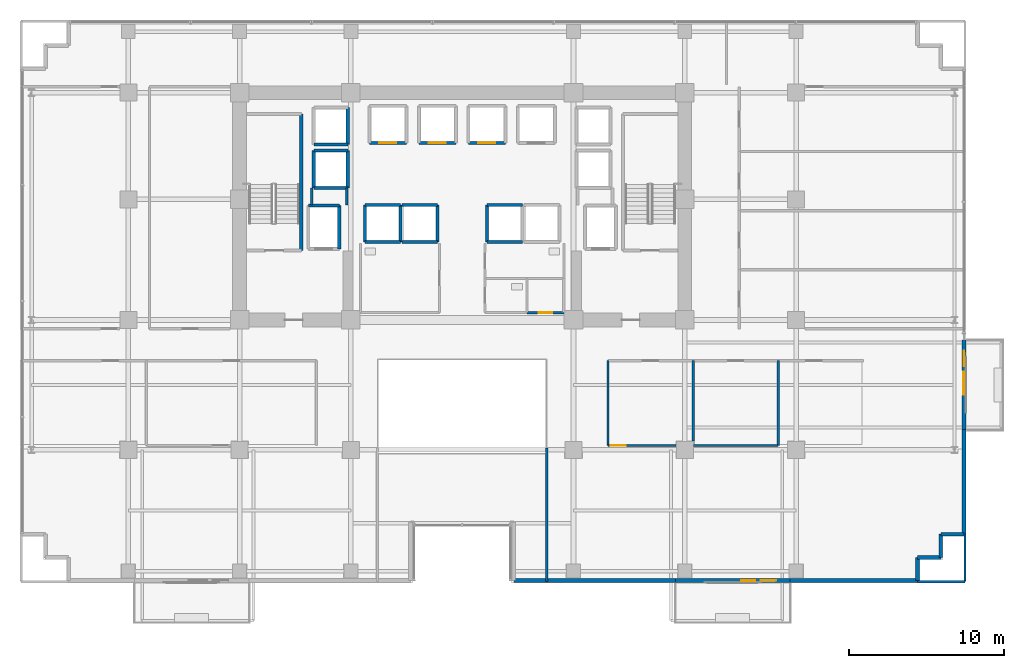
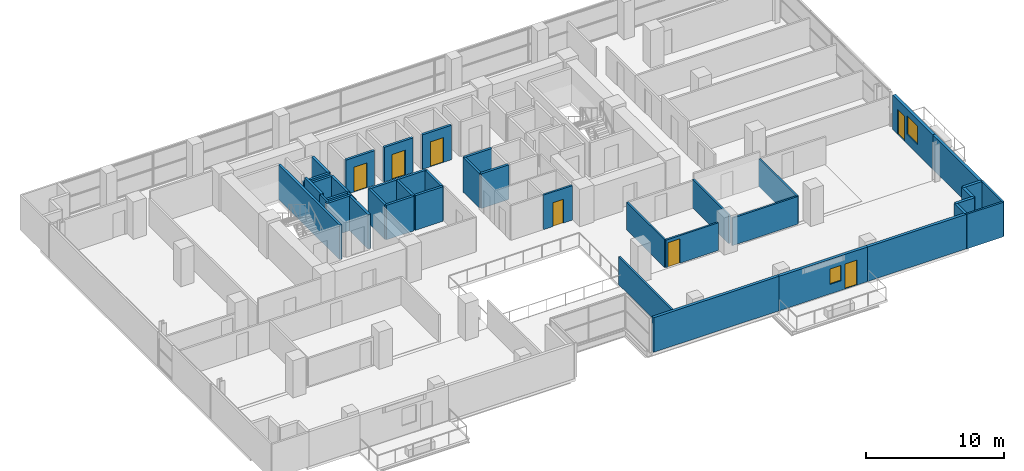
# One storey, part 20 of 27: 42 walls, 7 doors, 2 windows, 9 openings.
"""IFC4 building model written with IfcOpenShell, lengths in metres."""

import ifcopenshell
import ifcopenshell.guid

model = None  # the IFC model being written
_history = None  # IfcOwnerHistory: only IFC2X3 demands one
_inside = {}  # id of a spatial element -> (the spatial element, [elements in it])
_under = {}  # id of a project, library or spatial element -> (it, [spatial elements below it])
_declared = {}  # id of a project -> (the project, [libraries it declares])
_typed = {}  # id of a type object -> (the type object, [elements of that type])
_made_of = {}  # id of a material, layer set ... -> (it, [elements and type objects made of it])


def new_model(schema):
    """Start an empty IFC model of exactly this schema.

    Asked for "IFC4X3", IfcOpenShell would pick the latest addendum, in which some entities
    have other attributes; the version numbers below select the first issue.
    IFC2X3 requires an IfcOwnerHistory on every rooted entity: one is made here for all.
    """
    global model, _history
    if schema == "IFC4X3":
        model = ifcopenshell.file(schema_version=(4, 3, 0, 0))
    else:
        model = ifcopenshell.file(schema=schema)
    _inside.clear()
    _under.clear()
    _declared.clear()
    _typed.clear()
    _made_of.clear()
    _history = None
    if model.schema == "IFC2X3":
        org = make("IfcOrganization", Name="unknown")
        user = make(
            "IfcPersonAndOrganization",
            ThePerson=make("IfcPerson", FamilyName="unknown"),
            TheOrganization=org,
        )
        app = make(
            "IfcApplication",
            ApplicationDeveloper=org,
            Version="unknown",
            ApplicationFullName="unknown",
            ApplicationIdentifier="unknown",
        )
        _history = make(
            "IfcOwnerHistory",
            OwningUser=user,
            OwningApplication=app,
            ChangeAction="ADDED",
            CreationDate=0,
        )
    return model


def make(cls, **values):
    """One entity of the class cls with the attributes given. An attribute that is None is left unset."""
    return model.create_entity(
        cls, **{name: value for name, value in values.items() if value is not None}
    )


def rooted(cls, **values):
    """An entity with a GlobalId (a new one), such as an element, a storey or a relation."""
    return make(cls, GlobalId=ifcopenshell.guid.new(), OwnerHistory=_history, **values)


def si_unit(unit_type, name, prefix=None):
    """IfcSIUnit, for example si_unit("LENGTHUNIT", "METRE", prefix="MILLI")."""
    return make("IfcSIUnit", UnitType=unit_type, Prefix=prefix, Name=name)


def assignment(units):
    """IfcUnitAssignment: the units of a project."""
    return None if units is None else make("IfcUnitAssignment", Units=units)


def point(xyz):
    """IfcCartesianPoint."""
    return None if xyz is None else make("IfcCartesianPoint", Coordinates=xyz)


def direction(xyz):
    """IfcDirection."""
    return None if xyz is None else make("IfcDirection", DirectionRatios=xyz)


def frame(location, z_axis=None, x_axis=None):
    """IfcAxis2Placement3D, a coordinate frame: its origin and axes. An axis left out is left unset."""
    return make(
        "IfcAxis2Placement3D",
        Location=point(location),
        Axis=direction(z_axis),
        RefDirection=direction(x_axis),
    )


def frame_2d(location, x_axis=None):
    """IfcAxis2Placement2D, a coordinate frame in the plane: its origin and x axis."""
    return make(
        "IfcAxis2Placement2D", Location=point(location), RefDirection=direction(x_axis)
    )


def origin():
    """The frame at (0, 0, 0) with its axes left unset."""
    return frame((0.0, 0.0, 0.0))


def place(relative_to, where):
    """IfcLocalPlacement: puts the frame where relative to a parent placement (None: the world)."""
    return make(
        "IfcLocalPlacement", PlacementRelTo=relative_to, RelativePlacement=where
    )


def context(
    kind, dimensions, precision=None, world=None, true_north=None, identifier=None
):
    """IfcGeometricRepresentationContext, for example the 3D "Model" context."""
    return make(
        "IfcGeometricRepresentationContext",
        ContextIdentifier=identifier,
        ContextType=kind,
        CoordinateSpaceDimension=dimensions,
        Precision=precision,
        WorldCoordinateSystem=world,
        TrueNorth=true_north,
    )


def subcontext(parent, identifier, kind, view, scale=None):
    """IfcGeometricRepresentationSubContext, for example "Body" below "Model"."""
    return make(
        "IfcGeometricRepresentationSubContext",
        ContextIdentifier=identifier,
        ContextType=kind,
        ParentContext=parent,
        TargetScale=scale,
        TargetView=view,
    )


def project(units=None, contexts=None):
    """IfcProject with its units and contexts."""
    return rooted(
        "IfcProject",
        Name="project",
        RepresentationContexts=contexts,
        UnitsInContext=assignment(units),
    )


def spatial(cls, under=None, at=None, **own):
    """A site, building, storey or space (cls), placed at a placement, below another one or the project."""
    s = rooted(cls, ObjectPlacement=at, **own)
    if under is not None:
        _under.setdefault(under.id(), (under, []))[1].append(s)
    return s


def profile(cls, at=None, kind="AREA", **sizes):
    """A parametric profile (cls). Its sizes go by their IFC names, for example OverallWidth=200.0."""
    return make(cls, ProfileType=kind, Position=at, **sizes)


def rectangle(**sizes):
    """IfcRectangleProfileDef."""
    return profile("IfcRectangleProfileDef", **sizes)


def extrude(swept, where, along, depth):
    """IfcExtrudedAreaSolid: the profile swept, set in the frame where, extruded along a direction by depth."""
    return make(
        "IfcExtrudedAreaSolid",
        SweptArea=swept,
        Position=where,
        ExtrudedDirection=direction(along),
        Depth=depth,
    )


def shape(context_of_items, identifier, shape_type, items):
    """IfcShapeRepresentation: the items that make up one representation, for example the "Body"."""
    return make(
        "IfcShapeRepresentation",
        ContextOfItems=context_of_items,
        RepresentationIdentifier=identifier,
        RepresentationType=shape_type,
        Items=items,
    )


def source(mapping_origin, context_of_items, identifier, shape_type, items):
    """IfcRepresentationMap: a shape defined once, which mapped items show again and again."""
    return make(
        "IfcRepresentationMap",
        MappingOrigin=mapping_origin,
        MappedRepresentation=shape(context_of_items, identifier, shape_type, items),
    )


def transform(
    local_origin,
    x_axis=None,
    y_axis=None,
    z_axis=None,
    scale=None,
    scale2=None,
    scale3=None,
    uniform=True,
):
    """IfcCartesianTransformationOperator3D, or its non-uniform kind. x_axis, y_axis, z_axis: its Axis1, 2, 3."""
    if uniform:
        return make(
            "IfcCartesianTransformationOperator3D",
            Axis1=direction(x_axis),
            Axis2=direction(y_axis),
            LocalOrigin=point(local_origin),
            Scale=scale,
            Axis3=direction(z_axis),
        )
    return make(
        "IfcCartesianTransformationOperator3DnonUniform",
        Axis1=direction(x_axis),
        Axis2=direction(y_axis),
        LocalOrigin=point(local_origin),
        Scale=scale,
        Axis3=direction(z_axis),
        Scale2=scale2,
        Scale3=scale3,
    )


def mapped(mapping_source, mapping_target):
    """IfcMappedItem: shows the shape of a source again, moved by a transform."""
    return make(
        "IfcMappedItem", MappingSource=mapping_source, MappingTarget=mapping_target
    )


def material(Name=None, Category=None):
    """IfcMaterial."""
    return make("IfcMaterial", Name=Name, Category=Category)


def layer(
    of_material, thickness, ventilated=None, Name=None, Category=None, Priority=None
):
    """IfcMaterialLayer: one layer of a wall or slab, of a material (None: an air gap)."""
    return make(
        "IfcMaterialLayer",
        Material=of_material,
        LayerThickness=thickness,
        IsVentilated=ventilated,
        Name=Name,
        Category=Category,
        Priority=Priority,
    )


def layer_set(layers, Name=None):
    """IfcMaterialLayerSet."""
    return make("IfcMaterialLayerSet", MaterialLayers=layers, LayerSetName=Name)


def made_of(thing, what):
    """Note that an element or type object is made of a material, layer set ...; save() writes the relation."""
    if what is not None:
        _made_of.setdefault(what.id(), (what, []))[1].append(thing)
    return thing


def type_object(cls, material=None, **own):
    """A type object (cls), such as IfcWallType, which elements share."""
    return made_of(rooted(cls, **own), material)


def element(
    cls,
    number,
    at=None,
    inside=None,
    cuts=None,
    type_object=None,
    material=None,
    context=None,
    identifier="Body",
    shape_type=None,
    held_by="IfcProductDefinitionShape",
    body=None,
    shapes=None,
    **own,
):
    """One element of the class cls, such as IfcWall. Its Tag is "e" and its number.

    at: its placement. inside: the storey or other place that contains it. cuts: it is an
    opening in that element (IfcRelVoidsElement). A single representation is given by context,
    identifier, shape_type and body (its items); several are given by shapes. held_by: the class
    of the entity that holds the representations. save() writes the other relations.
    """
    e = rooted(cls, Tag="e%d" % number, ObjectPlacement=at, **own)
    if body is not None:
        shapes = [shape(context, identifier, shape_type, body)]
    if shapes is not None:
        e.Representation = make(held_by, Representations=shapes)
    if inside is not None:
        _inside.setdefault(inside.id(), (inside, []))[1].append(e)
    if cuts is not None:
        rooted(
            "IfcRelVoidsElement", RelatingBuildingElement=cuts, RelatedOpeningElement=e
        )
    if type_object is not None:
        _typed.setdefault(type_object.id(), (type_object, []))[1].append(e)
    return made_of(e, material)


def fill(opening, filler):
    """IfcRelFillsElement: the door or window that sits in an opening."""
    return rooted(
        "IfcRelFillsElement",
        RelatingOpeningElement=opening,
        RelatedBuildingElement=filler,
    )


def aggregate(whole, parts):
    """IfcRelAggregates: a whole, such as a stair, and the parts it consists of."""
    return rooted("IfcRelAggregates", RelatingObject=whole, RelatedObjects=parts)


def save(model, path):
    """Write the relations noted so far, then the file.

    IfcRelAggregates (storeys below a building ...), IfcRelContainedInSpatialStructure (elements
    in a storey), IfcRelDefinesByType, IfcRelAssociatesMaterial and IfcRelDeclares: one each for
    every whole, place, type object, material and project.
    """
    for whole, parts in _under.values():
        aggregate(whole, parts)
    for where, things in _inside.values():
        rooted(
            "IfcRelContainedInSpatialStructure",
            RelatedElements=things,
            RelatingStructure=where,
        )
    for kind, things in _typed.values():
        rooted("IfcRelDefinesByType", RelatedObjects=things, RelatingType=kind)
    for what, things in _made_of.values():
        rooted("IfcRelAssociatesMaterial", RelatedObjects=things, RelatingMaterial=what)
    for by, libraries in _declared.values():
        rooted("IfcRelDeclares", RelatingContext=by, RelatedDefinitions=libraries)
    model.write(path)


model = new_model("IFC4")

# Units and contexts
model_context = context("Model", 3, precision=1e-05, world=origin(), true_north=direction((0.0, 1.0)))
body_context = subcontext(model_context, "Body", "Model", "MODEL_VIEW")
ifc_project = project(units=[si_unit("LENGTHUNIT", "METRE"), si_unit("AREAUNIT", "SQUARE_METRE"), si_unit("VOLUMEUNIT", "CUBIC_METRE"), si_unit("PLANEANGLEUNIT", "RADIAN"), si_unit("MASSUNIT", "GRAM", prefix="KILO")], contexts=[model_context])

# Site, building, storey
site_placement = place(None, origin())
site = spatial("IfcSite", under=ifc_project, at=site_placement, CompositionType="ELEMENT")
building_placement = place(site_placement, origin())
building = spatial("IfcBuilding", under=site, at=building_placement, Name="Zarnakvel Exchange Tower", CompositionType="ELEMENT")
storey_placement = place(building_placement, frame((0.0, 0.0, 76.89990234375)))
storey = spatial("IfcBuildingStorey", under=building, at=storey_placement, Name="L21", CompositionType="ELEMENT", Elevation=76.89990234375)

# Wall, openings, door, window
ifc_material_1 = material(Name="Precast concrete C40/50", Category="concrete")
ifc_layer_1 = layer(ifc_material_1, 0.239990234375)
ifc_layer_set_1 = layer_set([ifc_layer_1], Name="Precast concrete C40/50")
wall_type_1 = type_object("IfcWallType", Name="EW-02", PredefinedType="SOLIDWALL", material=ifc_layer_set_1)
wall_1_placement = place(storey_placement, frame((21.199951171875, -18.06005859375, 0.0), z_axis=(0.0, 0.0, 1.0), x_axis=(-1.0, 0.0, 0.0)))
wall_1 = element("IfcWall", 1, at=wall_1_placement, inside=storey, type_object=wall_type_1, Name="L21 Exterior Precast Spandrel Wall EW-BAL-L21-SE (EW-02)", PredefinedType="SOLIDWALL", context=body_context, shape_type="SweptSolid", body=[
    extrude(rectangle(XDim=7.39990234375, YDim=0.239990234375, at=frame_2d((3.699951171875, 0.0))), origin(), (0.0, 0.0, 1.0), 3.050048828125),
])
opening_1_placement = place(wall_1_placement, frame((0.887939453125, 0.0, 0.0)))
opening_1 = element("IfcOpeningElement", 2, at=opening_1_placement, cuts=wall_1, Name="Opening BD-L21-02", PredefinedType="OPENING", context=body_context, shape_type="SweptSolid", body=[
    extrude(rectangle(XDim=1.0, YDim=2.199951171875, at=frame_2d((0.5, 1.10009765625))), frame((0.0, 0.1298828125, 0.0), z_axis=(0.0, -1.0, 0.0), x_axis=(1.0, 0.0, 0.0)), (0.0, 0.0, 1.0), 0.260009765625),
])
opening_2_placement = place(wall_1_placement, frame((2.238037109375, 0.0, 0.85009765625)))
opening_2 = element("IfcOpeningElement", 3, at=opening_2_placement, cuts=wall_1, Name="Opening WN-06", PredefinedType="OPENING", context=body_context, shape_type="SweptSolid", body=[
    extrude(rectangle(XDim=0.89990234375, YDim=1.35009765625, at=frame_2d((0.449951171875, 0.675048828125))), frame((0.0, 0.1298828125, 0.0), z_axis=(0.0, -1.0, 0.0), x_axis=(1.0, 0.0, 0.0)), (0.0, 0.0, 1.0), 0.260009765625),
])
ifc_material_2 = material(Name="Architectural Bronze Anodised Aluminium", Category="aluminium")
door_type_1 = type_object("IfcDoorType", Name="DT-09", OperationType="NOTDEFINED", PredefinedType="DOOR", material=ifc_material_2)
shared_shape_1 = source(origin(), body_context, "Body", "SweptSolid", [
    extrude(rectangle(XDim=1.0, YDim=2.199951171875, at=frame_2d((0.5, 1.10009765625))), frame((0.0, 0.02490234375, 0.0), z_axis=(0.0, -1.0, 0.0), x_axis=(1.0, 0.0, 0.0)), (0.0, 0.0, 1.0), 0.050048828125),
])
door_1_placement = place(opening_1_placement, origin())
door_1 = element("IfcDoor", 4, at=door_1_placement, inside=storey, type_object=door_type_1, Name="L21 Planted Loggia Balcony Door BD-L21-02", OperationType="SINGLE_SWING_RIGHT", OverallHeight=2.199951171875, OverallWidth=1.0, PredefinedType="DOOR", context=body_context, shape_type="MappedRepresentation", body=[
    mapped(shared_shape_1, transform((0.0, 0.0, 0.0), x_axis=(1.0, 0.0, 0.0), y_axis=(0.0, 1.0, 0.0), z_axis=(0.0, 0.0, 1.0), scale=1.0)),
])
fill(opening_1, door_1)
ifc_material_3 = material(Name="Double Low-E Laminated Vision Glass", Category="glass")
window_type_1 = type_object("IfcWindowType", Name="WN-06", PartitioningType="SINGLE_PANEL", PredefinedType="WINDOW", material=ifc_material_3)
shared_shape_2 = source(origin(), body_context, "Body", "SweptSolid", [
    extrude(rectangle(XDim=0.89990234375, YDim=1.35009765625, at=frame_2d((0.449951171875, 0.675048828125))), frame((0.0, 0.030029296875, 0.0), z_axis=(0.0, -1.0, 0.0), x_axis=(1.0, 0.0, 0.0)), (0.0, 0.0, 1.0), 0.06005859375),
])
window_1_placement = place(opening_2_placement, origin())
window_1 = element("IfcWindow", 5, at=window_1_placement, inside=storey, type_object=window_type_1, Name="L21 Loggia Daylight Window (WN-06)", OverallHeight=1.35009765625, OverallWidth=0.89990234375, PartitioningType="SINGLE_PANEL", PredefinedType="WINDOW", context=body_context, shape_type="MappedRepresentation", body=[
    mapped(shared_shape_2, transform((0.0, 0.0, 0.0), x_axis=(1.0, 0.0, 0.0), y_axis=(0.0, 1.0, 0.0), z_axis=(0.0, 0.0, 1.0), scale=1.0)),
])
fill(opening_2, window_1)

wall_2_placement = place(storey_placement, frame((32.4599609375, -2.5, 0.0), z_axis=(0.0, 0.0, 1.0), x_axis=(0.0, -1.0, 0.0)))
wall_2 = element("IfcWall", 6, at=wall_2_placement, inside=storey, type_object=wall_type_1, Name="L21 Exterior Precast Spandrel Wall EW-BAL-L21-E (EW-02)", PredefinedType="SOLIDWALL", context=body_context, shape_type="SweptSolid", body=[
    extrude(rectangle(XDim=5.800048828125, YDim=0.239990234375, at=frame_2d((2.89990234375, 0.0))), origin(), (0.0, 0.0, 1.0), 3.050048828125),
])
opening_3_placement = place(wall_2_placement, frame((0.696044921875, 0.0, 0.0)))
opening_3 = element("IfcOpeningElement", 7, at=opening_3_placement, cuts=wall_2, Name="Opening BD-L21-03", PredefinedType="OPENING", context=body_context, shape_type="SweptSolid", body=[
    extrude(rectangle(XDim=1.0, YDim=2.199951171875, at=frame_2d((0.5, 1.10009765625))), frame((0.0, 0.1298828125, 0.0), z_axis=(0.0, -1.0, 0.0), x_axis=(1.0, 0.0, 0.0)), (0.0, 0.0, 1.0), 0.260009765625),
])
opening_4_placement = place(wall_2_placement, frame((2.0458984375, 0.0, 0.85009765625)))
opening_4 = element("IfcOpeningElement", 8, at=opening_4_placement, cuts=wall_2, Name="Opening WN-03", PredefinedType="OPENING", context=body_context, shape_type="SweptSolid", body=[
    extrude(rectangle(XDim=1.5, YDim=1.60009765625, at=frame_2d((0.75, 0.800048828125))), frame((0.0, 0.1298828125, 0.0), z_axis=(0.0, -1.0, 0.0), x_axis=(1.0, 0.0, 0.0)), (0.0, 0.0, 1.0), 0.260009765625),
])
door_2_placement = place(opening_3_placement, origin())
door_2 = element("IfcDoor", 9, at=door_2_placement, inside=storey, type_object=door_type_1, Name="L21 Planted Loggia Balcony Door BD-L21-03", OperationType="SINGLE_SWING_LEFT", OverallHeight=2.199951171875, OverallWidth=1.0, PredefinedType="DOOR", context=body_context, shape_type="MappedRepresentation", body=[
    mapped(shared_shape_1, transform((0.0, 0.0, 0.0), x_axis=(1.0, 0.0, 0.0), y_axis=(0.0, 1.0, 0.0), z_axis=(0.0, 0.0, 1.0), scale=1.0)),
])
fill(opening_3, door_2)
window_type_2 = type_object("IfcWindowType", Name="WN-03", PartitioningType="SINGLE_PANEL", PredefinedType="WINDOW", material=ifc_material_3)
shared_shape_3 = source(origin(), body_context, "Body", "SweptSolid", [
    extrude(rectangle(XDim=1.5, YDim=1.60009765625, at=frame_2d((0.75, 0.800048828125))), frame((0.0, 0.030029296875, 0.0), z_axis=(0.0, -1.0, 0.0), x_axis=(1.0, 0.0, 0.0)), (0.0, 0.0, 1.0), 0.06005859375),
])
window_2_placement = place(opening_4_placement, origin())
window_2 = element("IfcWindow", 10, at=window_2_placement, inside=storey, type_object=window_type_2, Name="L21 Loggia Daylight Window (WN-03)", OverallHeight=1.60009765625, OverallWidth=1.5, PartitioningType="SINGLE_PANEL", PredefinedType="WINDOW", context=body_context, shape_type="MappedRepresentation", body=[
    mapped(shared_shape_3, transform((0.0, 0.0, 0.0), x_axis=(1.0, 0.0, 0.0), y_axis=(0.0, 1.0, 0.0), z_axis=(0.0, 0.0, 1.0), scale=1.0)),
])
fill(opening_4, window_2)

# Walls
wall_3_placement = place(storey_placement, frame((32.4599609375, -15.06005859375, 0.0), z_axis=(0.0, 0.0, 1.0), x_axis=(0.0, 1.0, 0.0)))
element("IfcWall", 11, at=wall_3_placement, inside=storey, type_object=wall_type_1, Name="L21 Exterior Precast Spandrel Wall EWC-L21-10 (EW-02)", PredefinedType="SOLIDWALL", context=body_context, shape_type="SweptSolid", body=[
    extrude(rectangle(XDim=6.760009765625, YDim=0.239990234375, at=frame_2d((3.3798828125, 0.0))), origin(), (0.0, 0.0, 1.0), 3.050048828125),
])
for number, where, z_axis, x_axis, name in (
    (12, (30.9599609375, -15.06005859375, 0.0), (0.0, 0.0, 1.0), (1.0, 0.0, 0.0), "L21 Exterior Precast Spandrel Wall EWC-L21-11 (EW-02)"),
    (13, (30.9599609375, -16.56005859375, 0.0), (0.0, 0.0, 1.0), (0.0, 1.0, 0.0), "L21 Exterior Precast Spandrel Wall EWC-L21-12 (EW-02)"),
    (14, (29.4599609375, -16.56005859375, 0.0), (0.0, 0.0, 1.0), (1.0, 0.0, 0.0), "L21 Exterior Precast Spandrel Wall EWC-L21-13 (EW-02)"),
    (15, (29.4599609375, -18.06005859375, 0.0), (0.0, 0.0, 1.0), (0.0, 1.0, 0.0), "L21 Exterior Precast Spandrel Wall EWC-L21-14 (EW-02)"),
):
    element("IfcWall", number, at=place(storey_placement, frame(where, z_axis=z_axis, x_axis=x_axis)), inside=storey, type_object=wall_type_1, Name=name, PredefinedType="SOLIDWALL", context=body_context, shape_type="SweptSolid", body=[
        extrude(rectangle(XDim=1.5, YDim=0.239990234375, at=frame_2d((0.75, 0.0))), origin(), (0.0, 0.0, 1.0), 3.050048828125),
    ])
wall_4_placement = place(storey_placement, frame((21.199951171875, -18.06005859375, 0.0), z_axis=(0.0, 0.0, 1.0), x_axis=(1.0, 0.0, 0.0)))
element("IfcWall", 16, at=wall_4_placement, inside=storey, type_object=wall_type_1, Name="L21 Exterior Precast Spandrel Wall EWC-L21-15 (EW-02)", PredefinedType="SOLIDWALL", context=body_context, shape_type="SweptSolid", body=[
    extrude(rectangle(XDim=8.260009765625, YDim=0.239990234375, at=frame_2d((4.1298828125, 0.0))), origin(), (0.0, 0.0, 1.0), 3.050048828125),
])
wall_5_placement = place(storey_placement, frame((3.340087890625, -18.06005859375, 0.0), z_axis=(0.0, 0.0, 1.0), x_axis=(1.0, 0.0, 0.0)))
element("IfcWall", 17, at=wall_5_placement, inside=storey, type_object=wall_type_1, Name="L21 Exterior Precast Spandrel Wall EWC-L21-16 (EW-02)", PredefinedType="SOLIDWALL", context=body_context, shape_type="SweptSolid", body=[
    extrude(rectangle(XDim=10.4599609375, YDim=0.239990234375, at=frame_2d((5.22998046875, 0.0))), origin(), (0.0, 0.0, 1.0), 3.050048828125),
])

# Wall, opening, door
ifc_material_4 = material(Name="Fire-Rated Gypsum Stud Partition", Category="gypsum")
ifc_layer_2 = layer(ifc_material_4, 0.14990234375)
ifc_layer_set_2 = layer_set([ifc_layer_2], Name="Fire-Rated Gypsum Stud Partition")
wall_type_2 = type_object("IfcWallType", Name="PT-01", PredefinedType="PARTITIONING", material=ifc_layer_set_2)
wall_6_placement = place(storey_placement, frame((6.580078125, -0.72998046875, 0.0), z_axis=(0.0, 0.0, 1.0), x_axis=(-1.0, 0.0, 0.0)))
wall_6 = element("IfcWall", 18, at=wall_6_placement, inside=storey, type_object=wall_type_2, Name="L21 Partition Wall PWALL-L21-020 (PT-01)", PredefinedType="PARTITIONING", context=body_context, shape_type="SweptSolid", body=[
    extrude(rectangle(XDim=2.400146484375, YDim=0.14990234375, at=frame_2d((1.2001953125, 0.0))), origin(), (0.0, 0.0, 1.0), 3.050048828125),
])
opening_5_placement = place(wall_6_placement, frame((0.760009765625, 0.0, 0.0)))
opening_5 = element("IfcOpeningElement", 19, at=opening_5_placement, cuts=wall_6, Name="Opening D-L21-08", PredefinedType="OPENING", context=body_context, shape_type="SweptSolid", body=[
    extrude(rectangle(XDim=0.8798828125, YDim=2.10009765625, at=frame_2d((0.43994140625, 1.050048828125))), frame((0.0, 0.0849609375, 0.0), z_axis=(0.0, -1.0, 0.0), x_axis=(1.0, 0.0, 0.0)), (0.0, 0.0, 1.0), 0.169921875),
])
ifc_material_5 = material(Name="Painted Galvanised Steel S355", Category="steel")
door_type_2 = type_object("IfcDoorType", Name="DT-08", OperationType="NOTDEFINED", PredefinedType="DOOR", material=ifc_material_5)
shared_shape_4 = source(origin(), body_context, "Body", "SweptSolid", [
    extrude(rectangle(XDim=0.8798828125, YDim=2.10009765625, at=frame_2d((0.43994140625, 1.050048828125))), frame((0.0, 0.02490234375, 0.0), z_axis=(0.0, -1.0, 0.0), x_axis=(1.0, 0.0, 0.0)), (0.0, 0.0, 1.0), 0.050048828125),
])
door_3_placement = place(opening_5_placement, origin())
door_3 = element("IfcDoor", 20, at=door_3_placement, inside=storey, type_object=door_type_2, Name="L21 Cleaners Store Door D-L21-08", OperationType="SINGLE_SWING_LEFT", OverallHeight=2.10009765625, OverallWidth=0.8798828125, PredefinedType="DOOR", context=body_context, shape_type="MappedRepresentation", body=[
    mapped(shared_shape_4, transform((0.0, 0.0, 0.0), x_axis=(1.0, 0.0, 0.0), y_axis=(0.0, 1.0, 0.0), z_axis=(0.0, 0.0, 1.0), scale=1.0)),
])
fill(opening_5, door_3)

wall_7_placement = place(storey_placement, frame((13.830078125, -9.320068359375, 0.0), z_axis=(0.0, 0.0, 1.0), x_axis=(-1.0, 0.0, 0.0)))
wall_7 = element("IfcWall", 21, at=wall_7_placement, inside=storey, type_object=wall_type_2, Name="L21 Partition Wall PWALL-L21-031 (PT-01)", PredefinedType="PARTITIONING", context=body_context, shape_type="SweptSolid", body=[
    extrude(rectangle(XDim=4.400146484375, YDim=0.14990234375, at=frame_2d((2.2001953125, 0.0))), origin(), (0.0, 0.0, 1.0), 2.440185546875),
])
opening_6_placement = place(wall_7_placement, frame((3.239990234375, 0.0, 0.0)))
opening_6 = element("IfcOpeningElement", 22, at=opening_6_placement, cuts=wall_7, Name="Opening D-L21-15", PredefinedType="OPENING", context=body_context, shape_type="SweptSolid", body=[
    extrude(rectangle(XDim=0.97998046875, YDim=2.14990234375, at=frame_2d((0.489990234375, 1.074951171875))), frame((0.0, 0.0849609375, 0.0), z_axis=(0.0, -1.0, 0.0), x_axis=(1.0, 0.0, 0.0)), (0.0, 0.0, 1.0), 0.169921875),
])
ifc_material_6 = material(Name="Timber Acoustic Veneer", Category="wood")
door_type_3 = type_object("IfcDoorType", Name="DT-05", OperationType="NOTDEFINED", PredefinedType="DOOR", material=ifc_material_6)
shared_shape_5 = source(origin(), body_context, "Body", "SweptSolid", [
    extrude(rectangle(XDim=0.97998046875, YDim=2.14990234375, at=frame_2d((0.489990234375, 1.074951171875))), frame((0.0, 0.02490234375, 0.0), z_axis=(0.0, -1.0, 0.0), x_axis=(1.0, 0.0, 0.0)), (0.0, 0.0, 1.0), 0.050048828125),
])
door_4_placement = place(opening_6_placement, origin())
door_4 = element("IfcDoor", 23, at=door_4_placement, inside=storey, type_object=door_type_3, Name="L21 Corporate Advisory Suite Door D-L21-15", OperationType="SINGLE_SWING_RIGHT", OverallHeight=2.14990234375, OverallWidth=0.97998046875, PredefinedType="DOOR", context=body_context, shape_type="MappedRepresentation", body=[
    mapped(shared_shape_5, transform((0.0, 0.0, 0.0), x_axis=(1.0, 0.0, 0.0), y_axis=(0.0, 1.0, 0.0), z_axis=(0.0, 0.0, 1.0), scale=1.0)),
])
fill(opening_6, door_4)

# Walls
wall_8_placement = place(storey_placement, frame((9.429931640625, -9.320068359375, 0.0), z_axis=(0.0, 0.0, 1.0), x_axis=(0.0, 1.0, 0.0)))
element("IfcWall", 24, at=wall_8_placement, inside=storey, type_object=wall_type_2, Name="L21 Partition Wall PWALL-L21-033 (PT-01)", PredefinedType="PARTITIONING", context=body_context, shape_type="SweptSolid", body=[
    extrude(rectangle(XDim=5.489990234375, YDim=0.14990234375, at=frame_2d((2.7451171875, 0.0))), origin(), (0.0, 0.0, 1.0), 2.440185546875),
])
wall_9_placement = place(storey_placement, frame((14.9375, -3.830078125, 0.0), z_axis=(0.0, 0.0, 1.0), x_axis=(0.0, -1.0, 0.0)))
element("IfcWall", 25, at=wall_9_placement, inside=storey, type_object=wall_type_2, Name="L21 Partition Wall PWALL-L21-034 (PT-01)", PredefinedType="PARTITIONING", context=body_context, shape_type="SweptSolid", body=[
    extrude(rectangle(XDim=5.199951171875, YDim=0.14990234375, at=frame_2d((2.60009765625, 0.0))), origin(), (0.0, 0.0, 1.0), 2.5400390625),
])
wall_10_placement = place(storey_placement, frame((20.4453125, -9.320068359375, 0.0), z_axis=(0.0, 0.0, 1.0), x_axis=(-1.0, 0.0, 0.0)))
element("IfcWall", 26, at=wall_10_placement, inside=storey, type_object=wall_type_2, Name="L21 Partition Wall PWALL-L21-035 (PT-01)", PredefinedType="PARTITIONING", context=body_context, shape_type="SweptSolid", body=[
    extrude(rectangle(XDim=5.475341796875, YDim=0.14990234375, at=frame_2d((2.73779296875, 0.0))), origin(), (0.0, 0.0, 1.0), 2.440185546875),
])
wall_11_placement = place(storey_placement, frame((20.4453125, -3.830078125, 0.0), z_axis=(0.0, 0.0, 1.0), x_axis=(0.0, -1.0, 0.0)))
element("IfcWall", 27, at=wall_11_placement, inside=storey, type_object=wall_type_2, Name="L21 Partition Wall PWALL-L21-037 (PT-01)", PredefinedType="PARTITIONING", context=body_context, shape_type="SweptSolid", body=[
    extrude(rectangle(XDim=5.489990234375, YDim=0.14990234375, at=frame_2d((2.7451171875, 0.0))), origin(), (0.0, 0.0, 1.0), 2.440185546875),
])
wall_12_placement = place(storey_placement, frame((32.530029296875, -18.1298828125, 0.0), z_axis=(0.0, 0.0, 1.0), x_axis=(-1.0, 0.0, 0.0)))
element("IfcWall", 28, at=wall_12_placement, inside=storey, type_object=wall_type_2, Name="L21 Partition Wall PWALL-L21-039 (PT-01)", PredefinedType="PARTITIONING", context=body_context, shape_type="SweptSolid", body=[
    extrude(rectangle(XDim=3.070068359375, YDim=0.14990234375, at=frame_2d((1.53515625, 0.0))), origin(), (0.0, 0.0, 1.0), 3.050048828125),
])
wall_13_placement = place(storey_placement, frame((5.47998046875, -18.1298828125, 0.0), z_axis=(0.0, 0.0, 1.0), x_axis=(0.0, 1.0, 0.0)))
element("IfcWall", 29, at=wall_13_placement, inside=storey, type_object=wall_type_2, Name="L21 Partition Wall PWALL-L21-040 (PT-01)", PredefinedType="PARTITIONING", context=body_context, shape_type="SweptSolid", body=[
    extrude(rectangle(XDim=8.64990234375, YDim=0.14990234375, at=frame_2d((4.324951171875, 0.0))), origin(), (0.0, 0.0, 1.0), 2.440185546875),
])
wall_14_placement = place(storey_placement, frame((32.530029296875, -15.06005859375, 0.0), z_axis=(0.0, 0.0, 1.0), x_axis=(0.0, -1.0, 0.0)))
element("IfcWall", 30, at=wall_14_placement, inside=storey, type_object=wall_type_2, Name="L21 Partition Wall PWALL-L21-041 (PT-01)", PredefinedType="PARTITIONING", context=body_context, shape_type="SweptSolid", body=[
    extrude(rectangle(XDim=3.06982421875, YDim=0.14990234375, at=frame_2d((1.534912109375, 0.0))), origin(), (0.0, 0.0, 1.0), 3.050048828125),
])
ifc_layer_3 = layer(ifc_material_4, 0.179931640625)
ifc_layer_set_3 = layer_set([ifc_layer_3], Name="Fire-Rated Gypsum Stud Partition")
wall_type_3 = type_object("IfcWallType", Name="PT-02", PredefinedType="PARTITIONING", material=ifc_layer_set_3)
wall_15_placement = place(storey_placement, frame((-9.72998046875, 6.239990234375, 0.0), z_axis=(0.0, 0.0, 1.0), x_axis=(0.0, 1.0, 0.0)))
element("IfcWall", 31, at=wall_15_placement, inside=storey, type_object=wall_type_3, Name="L21 Partition Wall PWALL-L21-007 (PT-02)", PredefinedType="PARTITIONING", context=body_context, shape_type="SweptSolid", body=[
    extrude(rectangle(XDim=1.090087890625, YDim=0.179931640625, at=frame_2d((0.544921875, 0.0))), origin(), (0.0, 0.0, 1.0), 3.050048828125),
])
wall_16_placement = place(storey_placement, frame((-7.469970703125, 7.330078125, 0.0), z_axis=(0.0, 0.0, 1.0), x_axis=(0.0, -1.0, 0.0)))
element("IfcWall", 32, at=wall_16_placement, inside=storey, type_object=wall_type_3, Name="L21 Partition Wall PWALL-L21-008 (PT-02)", PredefinedType="PARTITIONING", context=body_context, shape_type="SweptSolid", body=[
    extrude(rectangle(XDim=1.090087890625, YDim=0.179931640625, at=frame_2d((0.544921875, 0.0))), origin(), (0.0, 0.0, 1.0), 2.440185546875),
])
ifc_material_7 = material(Name="Concrete C40/50", Category="concrete")
ifc_layer_4 = layer(ifc_material_7, 0.199951171875)
ifc_layer_set_4 = layer_set([ifc_layer_4], Name="Concrete C40/50")
wall_type_4 = type_object("IfcWallType", Name="SW-01", PredefinedType="SOLIDWALL", material=ifc_layer_set_4)
wall_17_placement = place(storey_placement, frame((-9.949951171875, 6.199951171875, 0.0), z_axis=(0.0, 0.0, 1.0), x_axis=(1.0, 0.0, 0.0)))
element("IfcWall", 33, at=wall_17_placement, inside=storey, type_object=wall_type_4, Name="L21 FL-01 Hoistway Wall North", PredefinedType="SOLIDWALL", context=body_context, shape_type="SweptSolid", body=[
    extrude(rectangle(XDim=2.0, YDim=0.199951171875, at=frame_2d((1.0, 0.0))), origin(), (0.0, 0.0, 1.0), 3.050048828125),
])
wall_18_placement = place(storey_placement, frame((-7.949951171875, 6.199951171875, 0.0), z_axis=(0.0, 0.0, 1.0), x_axis=(0.0, -1.0, 0.0)))
element("IfcWall", 34, at=wall_18_placement, inside=storey, type_object=wall_type_4, Name="L21 FL-01 Hoistway Wall East", PredefinedType="SOLIDWALL", context=body_context, shape_type="SweptSolid", body=[
    extrude(rectangle(XDim=2.800048828125, YDim=0.199951171875, at=frame_2d((1.39990234375, 0.0))), origin(), (0.0, 0.0, 1.0), 3.050048828125),
])

# Wall, opening, door
wall_19_placement = place(storey_placement, frame((-3.60009765625, 10.25, 0.0), z_axis=(0.0, 0.0, 1.0), x_axis=(-1.0, 0.0, 0.0)))
wall_19 = element("IfcWall", 35, at=wall_19_placement, inside=storey, type_object=wall_type_4, Name="L21 PL-01 Hoistway Wall South", PredefinedType="SOLIDWALL", context=body_context, shape_type="SweptSolid", body=[
    extrude(rectangle(XDim=2.39990234375, YDim=0.199951171875, at=frame_2d((1.199951171875, 0.0))), origin(), (0.0, 0.0, 1.0), 3.050048828125),
])
opening_7_placement = place(wall_19_placement, frame((0.64990234375, 0.0, 0.0)))
opening_7 = element("IfcOpeningElement", 36, at=opening_7_placement, cuts=wall_19, Name="Opening LD-PL-01-L21", PredefinedType="OPENING", context=body_context, shape_type="SweptSolid", body=[
    extrude(rectangle(XDim=1.10009765625, YDim=2.199951171875, at=frame_2d((0.550048828125, 1.10009765625))), frame((0.0, 0.10986328125, 0.0), z_axis=(0.0, -1.0, 0.0), x_axis=(1.0, 0.0, 0.0)), (0.0, 0.0, 1.0), 0.219970703125),
])
door_type_4 = type_object("IfcDoorType", Name="LDT-02", OperationType="NOTDEFINED", PredefinedType="DOOR", material=ifc_material_2)
shared_shape_6 = source(origin(), body_context, "Body", "SweptSolid", [
    extrude(rectangle(XDim=1.10009765625, YDim=2.199951171875, at=frame_2d((0.550048828125, 1.10009765625))), frame((0.0, 0.02490234375, 0.0), z_axis=(0.0, -1.0, 0.0), x_axis=(1.0, 0.0, 0.0)), (0.0, 0.0, 1.0), 0.050048828125),
])
door_5_placement = place(opening_7_placement, origin())
door_5 = element("IfcDoor", 37, at=door_5_placement, inside=storey, type_object=door_type_4, Name="L21 PL-01 Lift Landing Door LD-PL-01-L21", OperationType="DOUBLE_DOOR_SLIDING", OverallHeight=2.199951171875, OverallWidth=1.10009765625, PredefinedType="DOOR", context=body_context, shape_type="MappedRepresentation", body=[
    mapped(shared_shape_6, transform((0.0, 0.0, 0.0), x_axis=(1.0, 0.0, 0.0), y_axis=(0.0, 1.0, 0.0), z_axis=(0.0, 0.0, 1.0), scale=1.0)),
])
fill(opening_7, door_5)

wall_20_placement = place(storey_placement, frame((-0.39990234375, 10.25, 0.0), z_axis=(0.0, 0.0, 1.0), x_axis=(-1.0, 0.0, 0.0)))
wall_20 = element("IfcWall", 38, at=wall_20_placement, inside=storey, type_object=wall_type_4, Name="L21 PL-02 Hoistway Wall South", PredefinedType="SOLIDWALL", context=body_context, shape_type="SweptSolid", body=[
    extrude(rectangle(XDim=2.400146484375, YDim=0.199951171875, at=frame_2d((1.2001953125, 0.0))), origin(), (0.0, 0.0, 1.0), 3.050048828125),
])
opening_8_placement = place(wall_20_placement, frame((0.64990234375, 0.0, 0.0)))
opening_8 = element("IfcOpeningElement", 39, at=opening_8_placement, cuts=wall_20, Name="Opening LD-PL-02-L21", PredefinedType="OPENING", context=body_context, shape_type="SweptSolid", body=[
    extrude(rectangle(XDim=1.10009765625, YDim=2.199951171875, at=frame_2d((0.550048828125, 1.10009765625))), frame((0.0, 0.10986328125, 0.0), z_axis=(0.0, -1.0, 0.0), x_axis=(1.0, 0.0, 0.0)), (0.0, 0.0, 1.0), 0.219970703125),
])
door_6_placement = place(opening_8_placement, origin())
door_6 = element("IfcDoor", 40, at=door_6_placement, inside=storey, type_object=door_type_4, Name="L21 PL-02 Lift Landing Door LD-PL-02-L21", OperationType="DOUBLE_DOOR_SLIDING", OverallHeight=2.199951171875, OverallWidth=1.10009765625, PredefinedType="DOOR", context=body_context, shape_type="MappedRepresentation", body=[
    mapped(shared_shape_6, transform((0.0, 0.0, 0.0), x_axis=(1.0, 0.0, 0.0), y_axis=(0.0, 1.0, 0.0), z_axis=(0.0, 0.0, 1.0), scale=1.0)),
])
fill(opening_8, door_6)

wall_21_placement = place(storey_placement, frame((2.800048828125, 10.25, 0.0), z_axis=(0.0, 0.0, 1.0), x_axis=(-1.0, 0.0, 0.0)))
wall_21 = element("IfcWall", 41, at=wall_21_placement, inside=storey, type_object=wall_type_4, Name="L21 PL-03 Hoistway Wall South", PredefinedType="SOLIDWALL", context=body_context, shape_type="SweptSolid", body=[
    extrude(rectangle(XDim=2.400146484375, YDim=0.199951171875, at=frame_2d((1.2001953125, 0.0))), origin(), (0.0, 0.0, 1.0), 3.050048828125),
])
opening_9_placement = place(wall_21_placement, frame((0.64990234375, 0.0, 0.0)))
opening_9 = element("IfcOpeningElement", 42, at=opening_9_placement, cuts=wall_21, Name="Opening LD-PL-03-L21", PredefinedType="OPENING", context=body_context, shape_type="SweptSolid", body=[
    extrude(rectangle(XDim=1.10009765625, YDim=2.199951171875, at=frame_2d((0.550048828125, 1.10009765625))), frame((0.0, 0.10986328125, 0.0), z_axis=(0.0, -1.0, 0.0), x_axis=(1.0, 0.0, 0.0)), (0.0, 0.0, 1.0), 0.219970703125),
])
door_7_placement = place(opening_9_placement, origin())
door_7 = element("IfcDoor", 43, at=door_7_placement, inside=storey, type_object=door_type_4, Name="L21 PL-03 Lift Landing Door LD-PL-03-L21", OperationType="DOUBLE_DOOR_SLIDING", OverallHeight=2.199951171875, OverallWidth=1.10009765625, PredefinedType="DOOR", context=body_context, shape_type="MappedRepresentation", body=[
    mapped(shared_shape_6, transform((0.0, 0.0, 0.0), x_axis=(1.0, 0.0, 0.0), y_axis=(0.0, 1.0, 0.0), z_axis=(0.0, 0.0, 1.0), scale=1.0)),
])
fill(opening_9, door_7)

# Walls
for number, where, z_axis, x_axis, name in (
    (44, (-4.0, 3.85009765625, 0.0), (0.0, 0.0, 1.0), (-1.0, 0.0, 0.0), "L21 PL-05 Hoistway Wall South"),
    (45, (-6.300048828125, 6.25, 0.0), (0.0, 0.0, 1.0), (1.0, 0.0, 0.0), "L21 PL-05 Hoistway Wall North"),
):
    element("IfcWall", number, at=place(storey_placement, frame(where, z_axis=z_axis, x_axis=x_axis)), inside=storey, type_object=wall_type_4, Name=name, PredefinedType="SOLIDWALL", context=body_context, shape_type="SweptSolid", body=[
        extrude(rectangle(XDim=2.300048828125, YDim=0.199951171875, at=frame_2d((1.14990234375, 0.0))), origin(), (0.0, 0.0, 1.0), 3.050048828125),
    ])
for number, where, z_axis, x_axis, name in (
    (46, (-6.300048828125, 3.85009765625, 0.0), (0.0, 0.0, 1.0), (0.0, 1.0, 0.0), "L21 PL-05 Hoistway Wall West"),
    (47, (-4.0, 6.25, 0.0), (0.0, 0.0, 1.0), (0.0, -1.0, 0.0), "L21 PL-05 Hoistway Wall East"),
):
    element("IfcWall", number, at=place(storey_placement, frame(where, z_axis=z_axis, x_axis=x_axis)), inside=storey, type_object=wall_type_4, Name=name, PredefinedType="SOLIDWALL", context=body_context, shape_type="SweptSolid", body=[
        extrude(rectangle(XDim=2.39990234375, YDim=0.199951171875, at=frame_2d((1.199951171875, 0.0))), origin(), (0.0, 0.0, 1.0), 3.050048828125),
    ])
for number, where, z_axis, x_axis, name in (
    (48, (-1.60009765625, 3.85009765625, 0.0), (0.0, 0.0, 1.0), (-1.0, 0.0, 0.0), "L21 PL-06 Hoistway Wall South"),
    (49, (-3.89990234375, 6.25, 0.0), (0.0, 0.0, 1.0), (1.0, 0.0, 0.0), "L21 PL-06 Hoistway Wall North"),
):
    element("IfcWall", number, at=place(storey_placement, frame(where, z_axis=z_axis, x_axis=x_axis)), inside=storey, type_object=wall_type_4, Name=name, PredefinedType="SOLIDWALL", context=body_context, shape_type="SweptSolid", body=[
        extrude(rectangle(XDim=2.2998046875, YDim=0.199951171875, at=frame_2d((1.14990234375, 0.0))), origin(), (0.0, 0.0, 1.0), 3.050048828125),
    ])
wall_22_placement = place(storey_placement, frame((-1.60009765625, 6.25, 0.0), z_axis=(0.0, 0.0, 1.0), x_axis=(0.0, -1.0, 0.0)))
element("IfcWall", 50, at=wall_22_placement, inside=storey, type_object=wall_type_4, Name="L21 PL-06 Hoistway Wall East", PredefinedType="SOLIDWALL", context=body_context, shape_type="SweptSolid", body=[
    extrude(rectangle(XDim=2.39990234375, YDim=0.199951171875, at=frame_2d((1.199951171875, 0.0))), origin(), (0.0, 0.0, 1.0), 3.050048828125),
])
for number, where, z_axis, x_axis, name in (
    (51, (3.89990234375, 3.85009765625, 0.0), (0.0, 0.0, 1.0), (-1.0, 0.0, 0.0), "L21 PL-07 Hoistway Wall South"),
    (52, (1.60009765625, 6.25, 0.0), (0.0, 0.0, 1.0), (1.0, 0.0, 0.0), "L21 PL-07 Hoistway Wall North"),
):
    element("IfcWall", number, at=place(storey_placement, frame(where, z_axis=z_axis, x_axis=x_axis)), inside=storey, type_object=wall_type_4, Name=name, PredefinedType="SOLIDWALL", context=body_context, shape_type="SweptSolid", body=[
        extrude(rectangle(XDim=2.2998046875, YDim=0.199951171875, at=frame_2d((1.14990234375, 0.0))), origin(), (0.0, 0.0, 1.0), 3.050048828125),
    ])
wall_23_placement = place(storey_placement, frame((1.60009765625, 3.85009765625, 0.0), z_axis=(0.0, 0.0, 1.0), x_axis=(0.0, 1.0, 0.0)))
element("IfcWall", 53, at=wall_23_placement, inside=storey, type_object=wall_type_4, Name="L21 PL-07 Hoistway Wall West", PredefinedType="SOLIDWALL", context=body_context, shape_type="SweptSolid", body=[
    extrude(rectangle(XDim=2.39990234375, YDim=0.199951171875, at=frame_2d((1.199951171875, 0.0))), origin(), (0.0, 0.0, 1.0), 3.050048828125),
])
for number, where, z_axis, x_axis, name in (
    (54, (-7.39990234375, 7.35009765625, 0.0), (0.0, 0.0, 1.0), (-1.0, 0.0, 0.0), "L21 PL-09 Hoistway Wall South"),
    (55, (-9.60009765625, 9.75, 0.0), (0.0, 0.0, 1.0), (1.0, 0.0, 0.0), "L21 PL-09 Hoistway Wall North"),
):
    element("IfcWall", number, at=place(storey_placement, frame(where, z_axis=z_axis, x_axis=x_axis)), inside=storey, type_object=wall_type_4, Name=name, PredefinedType="SOLIDWALL", context=body_context, shape_type="SweptSolid", body=[
        extrude(rectangle(XDim=2.2001953125, YDim=0.199951171875, at=frame_2d((1.10009765625, 0.0))), origin(), (0.0, 0.0, 1.0), 2.440185546875),
    ])
wall_24_placement = place(storey_placement, frame((-9.60009765625, 7.35009765625, 0.0), z_axis=(0.0, 0.0, 1.0), x_axis=(0.0, 1.0, 0.0)))
element("IfcWall", 56, at=wall_24_placement, inside=storey, type_object=wall_type_4, Name="L21 PL-09 Hoistway Wall West", PredefinedType="SOLIDWALL", context=body_context, shape_type="SweptSolid", body=[
    extrude(rectangle(XDim=2.39990234375, YDim=0.199951171875, at=frame_2d((1.199951171875, 0.0))), origin(), (0.0, 0.0, 1.0), 3.050048828125),
])
wall_25_placement = place(storey_placement, frame((-7.39990234375, 9.75, 0.0), z_axis=(0.0, 0.0, 1.0), x_axis=(0.0, -1.0, 0.0)))
element("IfcWall", 57, at=wall_25_placement, inside=storey, type_object=wall_type_4, Name="L21 PL-09 Hoistway Wall East", PredefinedType="SOLIDWALL", context=body_context, shape_type="SweptSolid", body=[
    extrude(rectangle(XDim=2.39990234375, YDim=0.199951171875, at=frame_2d((1.199951171875, 0.0))), origin(), (0.0, 0.0, 1.0), 2.440185546875),
])
wall_26_placement = place(storey_placement, frame((-7.39990234375, 10.14990234375, 0.0), z_axis=(0.0, 0.0, 1.0), x_axis=(-1.0, 0.0, 0.0)))
element("IfcWall", 58, at=wall_26_placement, inside=storey, type_object=wall_type_4, Name="L21 PL-10 Hoistway Wall South", PredefinedType="SOLIDWALL", context=body_context, shape_type="SweptSolid", body=[
    extrude(rectangle(XDim=2.2001953125, YDim=0.199951171875, at=frame_2d((1.10009765625, 0.0))), origin(), (0.0, 0.0, 1.0), 2.440185546875),
])
wall_27_placement = place(storey_placement, frame((-7.39990234375, 12.550048828125, 0.0), z_axis=(0.0, 0.0, 1.0), x_axis=(0.0, -1.0, 0.0)))
element("IfcWall", 59, at=wall_27_placement, inside=storey, type_object=wall_type_4, Name="L21 PL-10 Hoistway Wall East", PredefinedType="SOLIDWALL", context=body_context, shape_type="SweptSolid", body=[
    extrude(rectangle(XDim=2.400146484375, YDim=0.199951171875, at=frame_2d((1.2001953125, 0.0))), origin(), (0.0, 0.0, 1.0), 2.440185546875),
])
ifc_layer_5 = layer(ifc_material_7, 0.199951171875)
ifc_layer_set_5 = layer_set([ifc_layer_5], Name="Concrete C40/50")
wall_type_5 = type_object("IfcWallType", Name="SW-02", PredefinedType="SOLIDWALL", material=ifc_layer_set_5)
wall_28_placement = place(storey_placement, frame((-10.409912109375, 12.1298828125, 0.0), z_axis=(0.0, 0.0, 1.0), x_axis=(0.0, -1.0, 0.0)))
element("IfcWall", 60, at=wall_28_placement, inside=storey, type_object=wall_type_5, Name="L21 Stairwell Core Wall PWALL-L21-003 (SW-02)", PredefinedType="SOLIDWALL", context=body_context, shape_type="SweptSolid", body=[
    extrude(rectangle(XDim=8.83984375, YDim=0.199951171875, at=frame_2d((4.419921875, 0.0))), origin(), (0.0, 0.0, 1.0), 3.050048828125),
])

save(model, "model.ifc")
